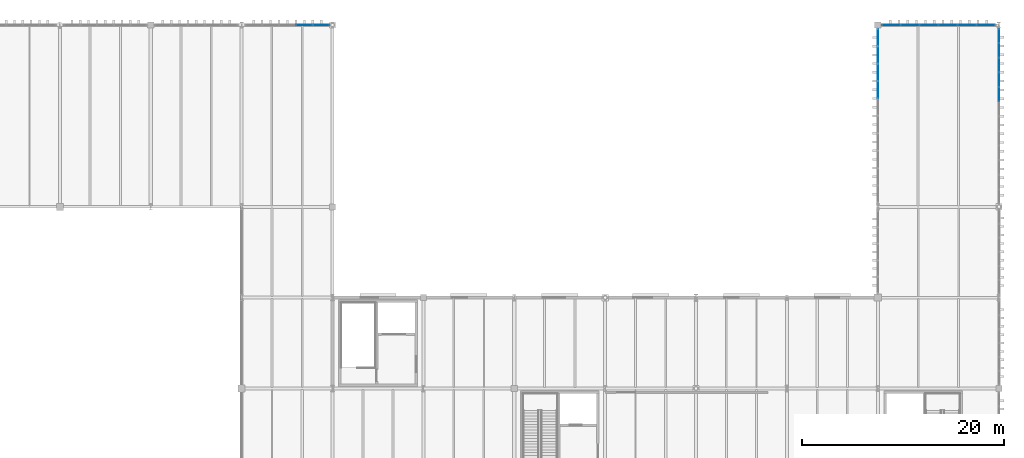
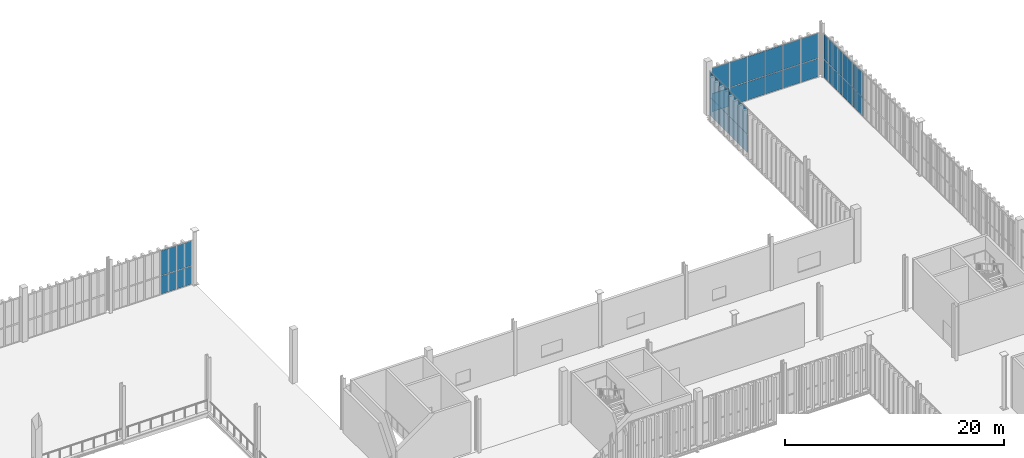
# One storey, part 169 of 211: 34 plates, 4 elements without a shape of their own.
"""IFC4 building model written with IfcOpenShell, lengths in metres."""

from ifc_helpers import new_model, si_unit, direction, frame, origin, origin_2d, place, context, subcontext, project, spatial, rectangle, extrude, material, layer, layer_set, type_object, element, aggregate, save


model = new_model("IFC4")

# Units and contexts
model_context = context("Model", 3, precision=1e-05, world=origin(), true_north=direction((0.0, 1.0)))
body_context = subcontext(model_context, "Body", "Model", "MODEL_VIEW")
ifc_project = project(units=[si_unit("LENGTHUNIT", "METRE"), si_unit("AREAUNIT", "SQUARE_METRE"), si_unit("VOLUMEUNIT", "CUBIC_METRE"), si_unit("PLANEANGLEUNIT", "RADIAN"), si_unit("MASSUNIT", "GRAM", prefix="KILO")], contexts=[model_context])

# Site, building, storey
site_placement = place(None, origin())
site = spatial("IfcSite", under=ifc_project, at=site_placement, CompositionType="ELEMENT")
building_placement = place(site_placement, origin())
building = spatial("IfcBuilding", under=site, at=building_placement, Name="Barlavento Convention Centre", CompositionType="ELEMENT")
storey_placement = place(building_placement, frame((0.0, 0.0, 6.0)))
storey = spatial("IfcBuildingStorey", under=building, at=storey_placement, Name="L01", CompositionType="ELEMENT", Elevation=6.0)

# Curtain wall, plates
ifc_material_1 = material(Name="Powder-coated aluminium and Low-E glass", Category="aluminium")
ifc_layer_1 = layer(ifc_material_1, 0.179931640625)
ifc_layer_set_1 = layer_set([ifc_layer_1], Name="ARC-CW-EXH-L01")
curtain_wall_type_1 = type_object("IfcCurtainWallType", Name="ARC-CW-EXH-L01", PredefinedType="NOTDEFINED", material=ifc_layer_set_1)
curtain_wall_1_placement = place(storey_placement, origin())
curtain_wall_1 = element("IfcCurtainWall", 1, at=curtain_wall_1_placement, inside=storey, type_object=curtain_wall_type_1, Name="L01 unitised curtain wall CW04", PredefinedType="NOTDEFINED")
ifc_material_2 = material(Name="Double-silver Low-E insulated glass", Category="glass")
ifc_layer_2 = layer(ifc_material_2, 0.028076171875)
ifc_layer_set_2 = layer_set([ifc_layer_2], Name="ARC-CWP-GLZ28")
plate_type_1 = type_object("IfcPlateType", Name="ARC-CWP-GLZ28", PredefinedType="CURTAIN_PANEL", material=ifc_layer_set_2)
plate_1_placement = place(storey_placement, frame((123.215576171875, 135.0, 0.06005859375), z_axis=(0.0, 0.0, 1.0), x_axis=(1.0, 0.0, 0.0)))
plate_1 = element("IfcPlate", 2, at=plate_1_placement, type_object=plate_type_1, Name="CW04 panel 4.1", PredefinedType="CURTAIN_PANEL", context=body_context, shape_type="SweptSolid", body=[
    extrude(rectangle(XDim=1.6142578125, YDim=0.028076171875, at=origin_2d()), origin(), (0.0, 0.0, 1.0), 2.010009765625),
])
plate_2_placement = place(storey_placement, frame((123.215576171875, 135.0, 2.1298828125), z_axis=(0.0, 0.0, 1.0), x_axis=(1.0, 0.0, 0.0)))
plate_2 = element("IfcPlate", 3, at=plate_2_placement, type_object=plate_type_1, Name="CW04 panel 4.2", PredefinedType="CURTAIN_PANEL", context=body_context, shape_type="SweptSolid", body=[
    extrude(rectangle(XDim=1.6142578125, YDim=0.028076171875, at=origin_2d()), origin(), (0.0, 0.0, 1.0), 2.760009765625),
])
plate_3_placement = place(storey_placement, frame((124.874755859375, 135.0, 0.06005859375), z_axis=(0.0, 0.0, 1.0), x_axis=(1.0, 0.0, 0.0)))
plate_3 = element("IfcPlate", 4, at=plate_3_placement, type_object=plate_type_1, Name="CW04 panel 5.1", PredefinedType="CURTAIN_PANEL", context=body_context, shape_type="SweptSolid", body=[
    extrude(rectangle(XDim=1.584228515625, YDim=0.028076171875, at=origin_2d()), origin(), (0.0, 0.0, 1.0), 2.010009765625),
])
plate_4_placement = place(storey_placement, frame((124.874755859375, 135.0, 2.1298828125), z_axis=(0.0, 0.0, 1.0), x_axis=(1.0, 0.0, 0.0)))
plate_4 = element("IfcPlate", 5, at=plate_4_placement, type_object=plate_type_1, Name="CW04 panel 5.2", PredefinedType="CURTAIN_PANEL", context=body_context, shape_type="SweptSolid", body=[
    extrude(rectangle(XDim=1.584228515625, YDim=0.028076171875, at=origin_2d()), origin(), (0.0, 0.0, 1.0), 2.760009765625),
])
aggregate(curtain_wall_1, [plate_1, plate_2, plate_3, plate_4])

ifc_layer_3 = layer(ifc_material_1, 0.195068359375)
ifc_layer_set_3 = layer_set([ifc_layer_3], Name="ARC-CW-FOY-L01")
curtain_wall_type_2 = type_object("IfcCurtainWallType", Name="ARC-CW-FOY-L01", PredefinedType="NOTDEFINED", material=ifc_layer_set_3)
curtain_wall_2_placement = place(storey_placement, origin())
curtain_wall_2 = element("IfcCurtainWall", 6, at=curtain_wall_2_placement, inside=storey, type_object=curtain_wall_type_2, Name="L01 unitised curtain wall CW03", PredefinedType="NOTDEFINED")
plate_5_placement = place(storey_placement, frame((192.0, 128.14501953125, 0.06005859375), z_axis=(0.0, 0.0, 1.0), x_axis=(0.0, 1.0, 0.0)))
plate_5 = element("IfcPlate", 7, at=plate_5_placement, type_object=plate_type_1, Name="CW03 panel 8.1", PredefinedType="CURTAIN_PANEL", context=body_context, shape_type="SweptSolid", body=[
    extrude(rectangle(XDim=1.3896484375, YDim=0.028076171875, at=origin_2d()), origin(), (0.0, 0.0, 1.0), 2.010009765625),
])
plate_6_placement = place(storey_placement, frame((192.0, 128.14501953125, 2.1298828125), z_axis=(0.0, 0.0, 1.0), x_axis=(0.0, 1.0, 0.0)))
plate_6 = element("IfcPlate", 8, at=plate_6_placement, type_object=plate_type_1, Name="CW03 panel 8.2", PredefinedType="CURTAIN_PANEL", context=body_context, shape_type="SweptSolid", body=[
    extrude(rectangle(XDim=1.3896484375, YDim=0.028076171875, at=origin_2d()), origin(), (0.0, 0.0, 1.0), 2.760009765625),
])
plate_7_placement = place(storey_placement, frame((192.0, 129.594482421875, 0.06005859375), z_axis=(0.0, 0.0, 1.0), x_axis=(0.0, 1.0, 0.0)))
plate_7 = element("IfcPlate", 9, at=plate_7_placement, type_object=plate_type_1, Name="CW03 panel 9.1", PredefinedType="CURTAIN_PANEL", context=body_context, shape_type="SweptSolid", body=[
    extrude(rectangle(XDim=1.3896484375, YDim=0.028076171875, at=origin_2d()), origin(), (0.0, 0.0, 1.0), 2.010009765625),
])
plate_8_placement = place(storey_placement, frame((192.0, 129.594482421875, 2.1298828125), z_axis=(0.0, 0.0, 1.0), x_axis=(0.0, 1.0, 0.0)))
plate_8 = element("IfcPlate", 10, at=plate_8_placement, type_object=plate_type_1, Name="CW03 panel 9.2", PredefinedType="CURTAIN_PANEL", context=body_context, shape_type="SweptSolid", body=[
    extrude(rectangle(XDim=1.3896484375, YDim=0.028076171875, at=origin_2d()), origin(), (0.0, 0.0, 1.0), 2.760009765625),
])
plate_9_placement = place(storey_placement, frame((192.0, 131.044189453125, 0.06005859375), z_axis=(0.0, 0.0, 1.0), x_axis=(0.0, 1.0, 0.0)))
plate_9 = element("IfcPlate", 11, at=plate_9_placement, type_object=plate_type_1, Name="CW03 panel 10.1", PredefinedType="CURTAIN_PANEL", context=body_context, shape_type="SweptSolid", body=[
    extrude(rectangle(XDim=1.3896484375, YDim=0.028076171875, at=origin_2d()), origin(), (0.0, 0.0, 1.0), 2.010009765625),
])
plate_10_placement = place(storey_placement, frame((192.0, 131.044189453125, 2.1298828125), z_axis=(0.0, 0.0, 1.0), x_axis=(0.0, 1.0, 0.0)))
plate_10 = element("IfcPlate", 12, at=plate_10_placement, type_object=plate_type_1, Name="CW03 panel 10.2", PredefinedType="CURTAIN_PANEL", context=body_context, shape_type="SweptSolid", body=[
    extrude(rectangle(XDim=1.3896484375, YDim=0.028076171875, at=origin_2d()), origin(), (0.0, 0.0, 1.0), 2.760009765625),
])
plate_11_placement = place(storey_placement, frame((192.0, 132.49365234375, 0.06005859375), z_axis=(0.0, 0.0, 1.0), x_axis=(0.0, 1.0, 0.0)))
plate_11 = element("IfcPlate", 13, at=plate_11_placement, type_object=plate_type_1, Name="CW03 panel 11.1", PredefinedType="CURTAIN_PANEL", context=body_context, shape_type="SweptSolid", body=[
    extrude(rectangle(XDim=1.3896484375, YDim=0.028076171875, at=origin_2d()), origin(), (0.0, 0.0, 1.0), 2.010009765625),
])
plate_12_placement = place(storey_placement, frame((192.0, 132.49365234375, 2.1298828125), z_axis=(0.0, 0.0, 1.0), x_axis=(0.0, 1.0, 0.0)))
plate_12 = element("IfcPlate", 14, at=plate_12_placement, type_object=plate_type_1, Name="CW03 panel 11.2", PredefinedType="CURTAIN_PANEL", context=body_context, shape_type="SweptSolid", body=[
    extrude(rectangle(XDim=1.3896484375, YDim=0.028076171875, at=origin_2d()), origin(), (0.0, 0.0, 1.0), 2.760009765625),
])
plate_13_placement = place(storey_placement, frame((192.0, 133.92822265625, 0.06005859375), z_axis=(0.0, 0.0, 1.0), x_axis=(0.0, 1.0, 0.0)))
plate_13 = element("IfcPlate", 15, at=plate_13_placement, type_object=plate_type_1, Name="CW03 panel 12.1", PredefinedType="CURTAIN_PANEL", context=body_context, shape_type="SweptSolid", body=[
    extrude(rectangle(XDim=1.359619140625, YDim=0.028076171875, at=origin_2d()), origin(), (0.0, 0.0, 1.0), 2.010009765625),
])
plate_14_placement = place(storey_placement, frame((192.0, 133.92822265625, 2.1298828125), z_axis=(0.0, 0.0, 1.0), x_axis=(0.0, 1.0, 0.0)))
plate_14 = element("IfcPlate", 16, at=plate_14_placement, type_object=plate_type_1, Name="CW03 panel 12.2", PredefinedType="CURTAIN_PANEL", context=body_context, shape_type="SweptSolid", body=[
    extrude(rectangle(XDim=1.359619140625, YDim=0.028076171875, at=origin_2d()), origin(), (0.0, 0.0, 1.0), 2.760009765625),
])
aggregate(curtain_wall_2, [plate_5, plate_6, plate_7, plate_8, plate_9, plate_10, plate_11, plate_12, plate_13, plate_14])

curtain_wall_3_placement = place(storey_placement, origin())
curtain_wall_3 = element("IfcCurtainWall", 17, at=curtain_wall_3_placement, inside=storey, type_object=curtain_wall_type_1, Name="L01 unitised curtain wall CW04", PredefinedType="NOTDEFINED")
ifc_material_3 = material(Name="Glazed terracotta spandrel panel", Category="masonry")
ifc_layer_4 = layer(ifc_material_3, 0.044921875)
ifc_layer_set_4 = layer_set([ifc_layer_4], Name="ARC-CWP-TER45")
plate_type_2 = type_object("IfcPlateType", Name="ARC-CWP-TER45", PredefinedType="CURTAIN_PANEL", material=ifc_layer_set_4)
plate_15_placement = place(storey_placement, frame((181.326416015625, 135.0, 0.06005859375), z_axis=(0.0, 0.0, 1.0), x_axis=(1.0, 0.0, 0.0)))
plate_15 = element("IfcPlate", 18, at=plate_15_placement, type_object=plate_type_2, Name="CW04 panel 1.1", PredefinedType="CURTAIN_PANEL", context=body_context, shape_type="SweptSolid", body=[
    extrude(rectangle(XDim=1.79296875, YDim=0.044921875, at=origin_2d()), origin(), (0.0, 0.0, 1.0), 2.010009765625),
])
plate_16_placement = place(storey_placement, frame((181.326416015625, 135.0, 2.1298828125), z_axis=(0.0, 0.0, 1.0), x_axis=(1.0, 0.0, 0.0)))
plate_16 = element("IfcPlate", 19, at=plate_16_placement, type_object=plate_type_2, Name="CW04 panel 1.2", PredefinedType="CURTAIN_PANEL", context=body_context, shape_type="SweptSolid", body=[
    extrude(rectangle(XDim=1.79296875, YDim=0.044921875, at=origin_2d()), origin(), (0.0, 0.0, 1.0), 2.760009765625),
])
plate_17_placement = place(storey_placement, frame((183.194580078125, 135.0, 0.06005859375), z_axis=(0.0, 0.0, 1.0), x_axis=(1.0, 0.0, 0.0)))
plate_17 = element("IfcPlate", 20, at=plate_17_placement, type_object=plate_type_2, Name="CW04 panel 2.1", PredefinedType="CURTAIN_PANEL", context=body_context, shape_type="SweptSolid", body=[
    extrude(rectangle(XDim=1.822998046875, YDim=0.044921875, at=origin_2d()), origin(), (0.0, 0.0, 1.0), 2.010009765625),
])
plate_18_placement = place(storey_placement, frame((183.194580078125, 135.0, 2.1298828125), z_axis=(0.0, 0.0, 1.0), x_axis=(1.0, 0.0, 0.0)))
plate_18 = element("IfcPlate", 21, at=plate_18_placement, type_object=plate_type_2, Name="CW04 panel 2.2", PredefinedType="CURTAIN_PANEL", context=body_context, shape_type="SweptSolid", body=[
    extrude(rectangle(XDim=1.822998046875, YDim=0.044921875, at=origin_2d()), origin(), (0.0, 0.0, 1.0), 2.760009765625),
])
plate_19_placement = place(storey_placement, frame((185.077392578125, 135.0, 0.06005859375), z_axis=(0.0, 0.0, 1.0), x_axis=(1.0, 0.0, 0.0)))
plate_19 = element("IfcPlate", 22, at=plate_19_placement, type_object=plate_type_2, Name="CW04 panel 3.1", PredefinedType="CURTAIN_PANEL", context=body_context, shape_type="SweptSolid", body=[
    extrude(rectangle(XDim=1.822998046875, YDim=0.044921875, at=origin_2d()), origin(), (0.0, 0.0, 1.0), 2.010009765625),
])
plate_20_placement = place(storey_placement, frame((185.077392578125, 135.0, 2.1298828125), z_axis=(0.0, 0.0, 1.0), x_axis=(1.0, 0.0, 0.0)))
plate_20 = element("IfcPlate", 23, at=plate_20_placement, type_object=plate_type_2, Name="CW04 panel 3.2", PredefinedType="CURTAIN_PANEL", context=body_context, shape_type="SweptSolid", body=[
    extrude(rectangle(XDim=1.822998046875, YDim=0.044921875, at=origin_2d()), origin(), (0.0, 0.0, 1.0), 2.760009765625),
])
plate_21_placement = place(storey_placement, frame((186.96044921875, 135.0, 0.06005859375), z_axis=(0.0, 0.0, 1.0), x_axis=(1.0, 0.0, 0.0)))
plate_21 = element("IfcPlate", 24, at=plate_21_placement, type_object=plate_type_2, Name="CW04 panel 4.1", PredefinedType="CURTAIN_PANEL", context=body_context, shape_type="SweptSolid", body=[
    extrude(rectangle(XDim=1.822998046875, YDim=0.044921875, at=origin_2d()), origin(), (0.0, 0.0, 1.0), 2.010009765625),
])
plate_22_placement = place(storey_placement, frame((186.96044921875, 135.0, 2.1298828125), z_axis=(0.0, 0.0, 1.0), x_axis=(1.0, 0.0, 0.0)))
plate_22 = element("IfcPlate", 25, at=plate_22_placement, type_object=plate_type_2, Name="CW04 panel 4.2", PredefinedType="CURTAIN_PANEL", context=body_context, shape_type="SweptSolid", body=[
    extrude(rectangle(XDim=1.822998046875, YDim=0.044921875, at=origin_2d()), origin(), (0.0, 0.0, 1.0), 2.760009765625),
])
plate_23_placement = place(storey_placement, frame((188.843505859375, 135.0, 0.06005859375), z_axis=(0.0, 0.0, 1.0), x_axis=(1.0, 0.0, 0.0)))
plate_23 = element("IfcPlate", 26, at=plate_23_placement, type_object=plate_type_2, Name="CW04 panel 5.1", PredefinedType="CURTAIN_PANEL", context=body_context, shape_type="SweptSolid", body=[
    extrude(rectangle(XDim=1.822998046875, YDim=0.044921875, at=origin_2d()), origin(), (0.0, 0.0, 1.0), 2.010009765625),
])
plate_24_placement = place(storey_placement, frame((188.843505859375, 135.0, 2.1298828125), z_axis=(0.0, 0.0, 1.0), x_axis=(1.0, 0.0, 0.0)))
plate_24 = element("IfcPlate", 27, at=plate_24_placement, type_object=plate_type_2, Name="CW04 panel 5.2", PredefinedType="CURTAIN_PANEL", context=body_context, shape_type="SweptSolid", body=[
    extrude(rectangle(XDim=1.822998046875, YDim=0.044921875, at=origin_2d()), origin(), (0.0, 0.0, 1.0), 2.760009765625),
])
plate_25_placement = place(storey_placement, frame((190.71142578125, 135.0, 0.06005859375), z_axis=(0.0, 0.0, 1.0), x_axis=(1.0, 0.0, 0.0)))
plate_25 = element("IfcPlate", 28, at=plate_25_placement, type_object=plate_type_2, Name="CW04 panel 6.1", PredefinedType="CURTAIN_PANEL", context=body_context, shape_type="SweptSolid", body=[
    extrude(rectangle(XDim=1.79296875, YDim=0.044921875, at=origin_2d()), origin(), (0.0, 0.0, 1.0), 2.010009765625),
])
plate_26_placement = place(storey_placement, frame((190.71142578125, 135.0, 2.1298828125), z_axis=(0.0, 0.0, 1.0), x_axis=(1.0, 0.0, 0.0)))
plate_26 = element("IfcPlate", 29, at=plate_26_placement, type_object=plate_type_2, Name="CW04 panel 6.2", PredefinedType="CURTAIN_PANEL", context=body_context, shape_type="SweptSolid", body=[
    extrude(rectangle(XDim=1.79296875, YDim=0.044921875, at=origin_2d()), origin(), (0.0, 0.0, 1.0), 2.760009765625),
])
aggregate(curtain_wall_3, [plate_15, plate_16, plate_17, plate_18, plate_19, plate_20, plate_21, plate_22, plate_23, plate_24, plate_25, plate_26])

curtain_wall_4_placement = place(storey_placement, origin())
curtain_wall_4 = element("IfcCurtainWall", 30, at=curtain_wall_4_placement, inside=storey, type_object=curtain_wall_type_1, Name="L01 unitised curtain wall CW04", PredefinedType="NOTDEFINED")
plate_27_placement = place(storey_placement, frame((180.0, 128.592529296875, 0.06005859375), z_axis=(0.0, 0.0, 1.0), x_axis=(0.0, 1.0, 0.0)))
plate_27 = element("IfcPlate", 31, at=plate_27_placement, type_object=plate_type_2, Name="CW04 panel 7.1", PredefinedType="CURTAIN_PANEL", context=body_context, shape_type="SweptSolid", body=[
    extrude(rectangle(XDim=1.6650390625, YDim=0.044921875, at=origin_2d()), origin(), (0.0, 0.0, 1.0), 2.010009765625),
])
plate_28_placement = place(storey_placement, frame((180.0, 128.592529296875, 2.1298828125), z_axis=(0.0, 0.0, 1.0), x_axis=(0.0, 1.0, 0.0)))
plate_28 = element("IfcPlate", 32, at=plate_28_placement, type_object=plate_type_2, Name="CW04 panel 7.2", PredefinedType="CURTAIN_PANEL", context=body_context, shape_type="SweptSolid", body=[
    extrude(rectangle(XDim=1.6650390625, YDim=0.044921875, at=origin_2d()), origin(), (0.0, 0.0, 1.0), 2.760009765625),
])
plate_29_placement = place(storey_placement, frame((180.0, 130.3173828125, 0.06005859375), z_axis=(0.0, 0.0, 1.0), x_axis=(0.0, 1.0, 0.0)))
plate_29 = element("IfcPlate", 33, at=plate_29_placement, type_object=plate_type_2, Name="CW04 panel 8.1", PredefinedType="CURTAIN_PANEL", context=body_context, shape_type="SweptSolid", body=[
    extrude(rectangle(XDim=1.6650390625, YDim=0.044921875, at=origin_2d()), origin(), (0.0, 0.0, 1.0), 2.010009765625),
])
plate_30_placement = place(storey_placement, frame((180.0, 130.3173828125, 2.1298828125), z_axis=(0.0, 0.0, 1.0), x_axis=(0.0, 1.0, 0.0)))
plate_30 = element("IfcPlate", 34, at=plate_30_placement, type_object=plate_type_2, Name="CW04 panel 8.2", PredefinedType="CURTAIN_PANEL", context=body_context, shape_type="SweptSolid", body=[
    extrude(rectangle(XDim=1.6650390625, YDim=0.044921875, at=origin_2d()), origin(), (0.0, 0.0, 1.0), 2.760009765625),
])
plate_31_placement = place(storey_placement, frame((180.0, 132.04248046875, 0.06005859375), z_axis=(0.0, 0.0, 1.0), x_axis=(0.0, 1.0, 0.0)))
plate_31 = element("IfcPlate", 35, at=plate_31_placement, type_object=plate_type_2, Name="CW04 panel 9.1", PredefinedType="CURTAIN_PANEL", context=body_context, shape_type="SweptSolid", body=[
    extrude(rectangle(XDim=1.6650390625, YDim=0.044921875, at=origin_2d()), origin(), (0.0, 0.0, 1.0), 2.010009765625),
])
plate_32_placement = place(storey_placement, frame((180.0, 132.04248046875, 2.1298828125), z_axis=(0.0, 0.0, 1.0), x_axis=(0.0, 1.0, 0.0)))
plate_32 = element("IfcPlate", 36, at=plate_32_placement, type_object=plate_type_2, Name="CW04 panel 9.2", PredefinedType="CURTAIN_PANEL", context=body_context, shape_type="SweptSolid", body=[
    extrude(rectangle(XDim=1.6650390625, YDim=0.044921875, at=origin_2d()), origin(), (0.0, 0.0, 1.0), 2.760009765625),
])
plate_33_placement = place(storey_placement, frame((180.0, 133.75244140625, 0.06005859375), z_axis=(0.0, 0.0, 1.0), x_axis=(0.0, 1.0, 0.0)))
plate_33 = element("IfcPlate", 37, at=plate_33_placement, type_object=plate_type_2, Name="CW04 panel 10.1", PredefinedType="CURTAIN_PANEL", context=body_context, shape_type="SweptSolid", body=[
    extrude(rectangle(XDim=1.635009765625, YDim=0.044921875, at=origin_2d()), origin(), (0.0, 0.0, 1.0), 2.010009765625),
])
plate_34_placement = place(storey_placement, frame((180.0, 133.75244140625, 2.1298828125), z_axis=(0.0, 0.0, 1.0), x_axis=(0.0, 1.0, 0.0)))
plate_34 = element("IfcPlate", 38, at=plate_34_placement, type_object=plate_type_2, Name="CW04 panel 10.2", PredefinedType="CURTAIN_PANEL", context=body_context, shape_type="SweptSolid", body=[
    extrude(rectangle(XDim=1.635009765625, YDim=0.044921875, at=origin_2d()), origin(), (0.0, 0.0, 1.0), 2.760009765625),
])
aggregate(curtain_wall_4, [plate_27, plate_28, plate_29, plate_30, plate_31, plate_32, plate_33, plate_34])

save(model, "model.ifc")
